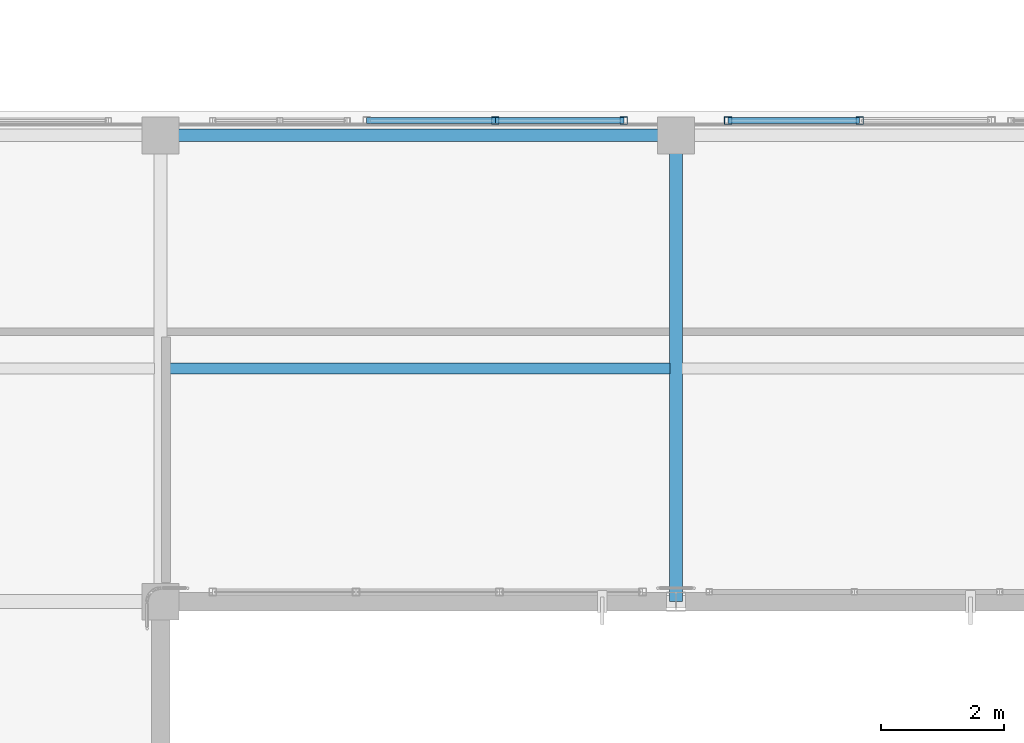
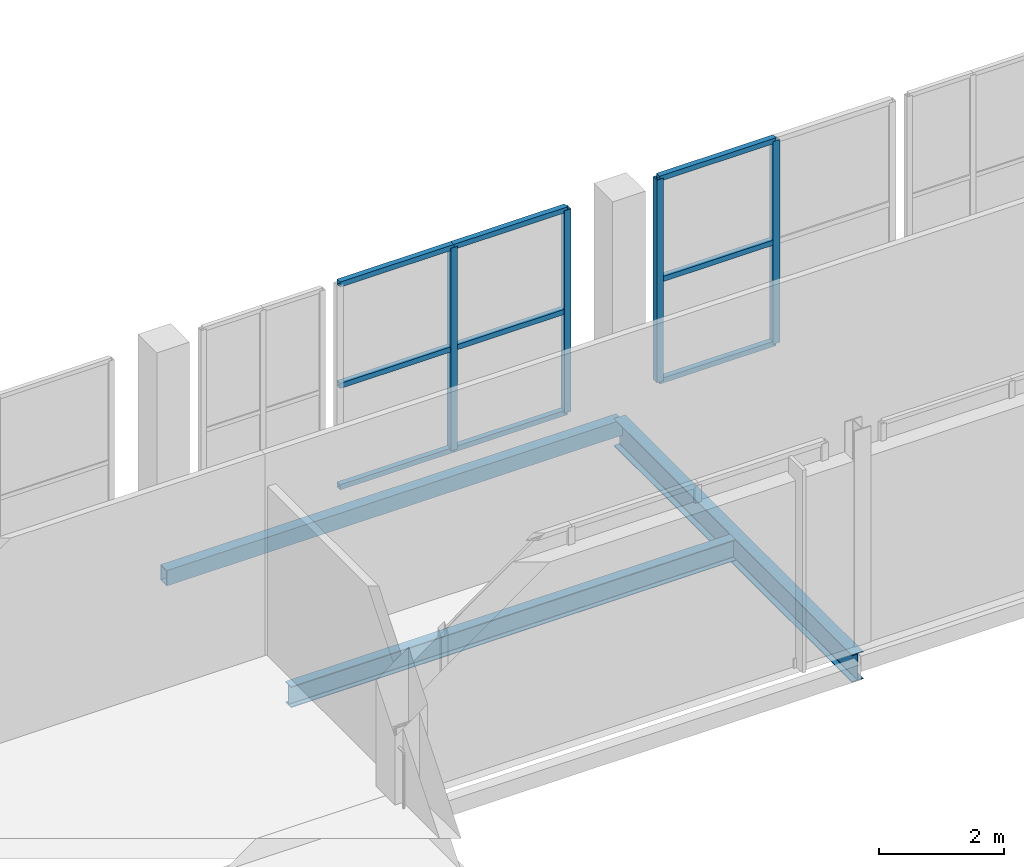
# One storey, part 44 of 217: 13 members, 3 beams, 2 elements without a shape of their own.
"""IFC4 building model written with IfcOpenShell, lengths in metres."""

from ifc_helpers import new_model, si_unit, direction, frame, origin, origin_2d, place, context, subcontext, project, spatial, hollow_rectangle, i_section, extrude, material, material_profile, profile_set, type_object, element, aggregate, save


model = new_model("IFC4")

# Units and contexts
model_context = context("Model", 3, precision=1e-05, world=origin(), true_north=direction((0.0, 1.0)))
body_context = subcontext(model_context, "Body", "Model", "MODEL_VIEW")
ifc_project = project(units=[si_unit("LENGTHUNIT", "METRE"), si_unit("AREAUNIT", "SQUARE_METRE"), si_unit("VOLUMEUNIT", "CUBIC_METRE"), si_unit("PLANEANGLEUNIT", "RADIAN"), si_unit("MASSUNIT", "GRAM", prefix="KILO")], contexts=[model_context])

# Site, building, storey
site_placement = place(None, origin())
site = spatial("IfcSite", under=ifc_project, at=site_placement, CompositionType="ELEMENT")
building_placement = place(site_placement, origin())
building = spatial("IfcBuilding", under=site, at=building_placement, Name="Zuvorla Pavilion Media Centre", CompositionType="ELEMENT")
storey_placement = place(building_placement, frame((0.0, 0.0, 9.60009765625)))
storey = spatial("IfcBuildingStorey", under=building, at=storey_placement, Name="L02", CompositionType="ELEMENT", Elevation=9.60009765625)

# Beams
ifc_material_1 = material(Name="Steel S355", Category="steel")
ifc_material_profile_1 = material_profile(ifc_material_1, hollow_rectangle(XDim=0.199951171875, YDim=0.300048828125, WallThickness=0.012451171875, at=origin_2d()), Name="RHS 300x200x12.5")
ifc_profile_set_1 = profile_set([ifc_material_profile_1], Name="Steel S355")
beam_type_1 = type_object("IfcBeamType", Name="BM-SP-RHS300", PredefinedType="SPANDREL", material=ifc_profile_set_1)
beam_1_placement = place(storey_placement, frame((108.800048828125, 51.60009765625, -0.418212890625), z_axis=(1.0, 0.0, 0.0), x_axis=(0.0, 1.0, 0.0)))
element("IfcBeam", 1, at=beam_1_placement, inside=storey, type_object=beam_type_1, Name="L02 spandrel SP01 846", PredefinedType="SPANDREL", context=body_context, shape_type="SweptSolid", body=[
    extrude(hollow_rectangle(XDim=0.199951171875, YDim=0.300048828125, WallThickness=0.012451171875, at=origin_2d()), origin(), (0.0, 0.0, 1.0), 8.39990234375),
])
ifc_material_profile_2 = material_profile(ifc_material_1, i_section(OverallWidth=0.1787109375, OverallDepth=0.409423828125, WebThickness=0.0087890625, FlangeThickness=0.014404296875, FilletRadius=0.01025390625, at=origin_2d()), Name="UB 406x178x67")
ifc_profile_set_2 = profile_set([ifc_material_profile_2], Name="Steel S355")
beam_type_2 = type_object("IfcBeamType", Name="BM-UB406", PredefinedType="JOIST", material=ifc_profile_set_2)
beam_2_placement = place(storey_placement, frame((108.89990234375, 47.800048828125, -0.472900390625), z_axis=(1.0, 0.0, 0.0), x_axis=(0.0, 1.0, 0.0)))
element("IfcBeam", 2, at=beam_2_placement, inside=storey, type_object=beam_type_2, Name="L02 joist J02 1030", PredefinedType="JOIST", context=body_context, shape_type="SweptSolid", body=[
    extrude(i_section(OverallWidth=0.1787109375, OverallDepth=0.409423828125, WebThickness=0.0087890625, FlangeThickness=0.014404296875, FilletRadius=0.01025390625, at=origin_2d()), origin(), (0.0, 0.0, 1.0), 8.2001953125),
])
ifc_material_profile_3 = material_profile(ifc_material_1, i_section(OverallWidth=0.2099609375, OverallDepth=0.53662109375, WebThickness=0.0107421875, FlangeThickness=0.017333984375, FilletRadius=0.0126953125, at=origin_2d()), Name="UB 533x210x101")
ifc_profile_set_3 = profile_set([ifc_material_profile_3], Name="Steel S355")
beam_type_3 = type_object("IfcBeamType", Name="BM-UB533", PredefinedType="BEAM", material=ifc_profile_set_3)
beam_3_placement = place(storey_placement, frame((117.199951171875, 44.0, -0.536376953125), z_axis=(0.0, 1.0, 0.0), x_axis=(-1.0, 0.0, 0.0)))
element("IfcBeam", 3, at=beam_3_placement, inside=storey, type_object=beam_type_3, Name="L02 beam B08 961", PredefinedType="BEAM", context=body_context, shape_type="SweptSolid", body=[
    extrude(i_section(OverallWidth=0.2099609375, OverallDepth=0.53662109375, WebThickness=0.0107421875, FlangeThickness=0.017333984375, FilletRadius=0.0126953125, at=origin_2d()), origin(), (0.0, 0.0, 1.0), 7.60009765625),
])

# Curtain wall, members
ifc_material_2 = material(Name="Unitised anodised aluminium and solar glass curtain wall", Category="aluminium")
curtain_wall_type_1 = type_object("IfcCurtainWallType", Name="CW-SYS-43", PredefinedType="USERDEFINED", material=ifc_material_2)
curtain_wall_1_placement = place(storey_placement, origin())
curtain_wall_1 = element("IfcCurtainWall", 4, at=curtain_wall_1_placement, inside=storey, type_object=curtain_wall_type_1, Name="L02 curtain wall CW43 75", ObjectType="CURTAIN WALL", PredefinedType="USERDEFINED")
ifc_material_3 = material(Name="Anodised aluminium 6063-T6", Category="aluminium")
ifc_material_profile_4 = material_profile(ifc_material_3, hollow_rectangle(XDim=0.1201171875, YDim=0.1201171875, WallThickness=0.0048828125, at=origin_2d()), Name="ALU MULL 120x120")
ifc_profile_set_4 = profile_set([ifc_material_profile_4], Name="Anodised aluminium 6063-T6")
member_type_1 = type_object("IfcMemberType", Name="CW-MULL-120", PredefinedType="MULLION", material=ifc_profile_set_4)
member_1_placement = place(storey_placement, frame((114.2548828125, 51.840087890625, 0.0), z_axis=(0.0, 0.0, 1.0), x_axis=(1.0, 0.0, 0.0)))
member_1 = element("IfcMember", 5, at=member_1_placement, type_object=member_type_1, Name="CW43 mullion 2", PredefinedType="MULLION", context=body_context, shape_type="SweptSolid", body=[
    extrude(hollow_rectangle(XDim=0.1201171875, YDim=0.1201171875, WallThickness=0.0048828125, at=origin_2d()), origin(), (0.0, 0.0, 1.0), 3.949951171875),
])
member_2_placement = place(storey_placement, frame((116.349609375, 51.840087890625, 0.0), z_axis=(0.0, 0.0, 1.0), x_axis=(1.0, 0.0, 0.0)))
member_2 = element("IfcMember", 6, at=member_2_placement, type_object=member_type_1, Name="CW43 mullion 3", PredefinedType="MULLION", context=body_context, shape_type="SweptSolid", body=[
    extrude(hollow_rectangle(XDim=0.1201171875, YDim=0.1201171875, WallThickness=0.0048828125, at=origin_2d()), origin(), (0.0, 0.0, 1.0), 3.949951171875),
])

curtain_wall_type_2 = type_object("IfcCurtainWallType", Name="CW-SYS-42", PredefinedType="USERDEFINED", material=ifc_material_2)
curtain_wall_2_placement = place(storey_placement, origin())
curtain_wall_2 = element("IfcCurtainWall", 7, at=curtain_wall_2_placement, inside=storey, type_object=curtain_wall_type_2, Name="L02 curtain wall CW42 76", ObjectType="CURTAIN WALL", PredefinedType="USERDEFINED")
member_3_placement = place(storey_placement, frame((118.05029296875, 51.840087890625, 0.0), z_axis=(0.0, 0.0, 1.0), x_axis=(1.0, 0.0, 0.0)))
member_3 = element("IfcMember", 8, at=member_3_placement, type_object=member_type_1, Name="CW42 mullion 1", PredefinedType="MULLION", context=body_context, shape_type="SweptSolid", body=[
    extrude(hollow_rectangle(XDim=0.1201171875, YDim=0.1201171875, WallThickness=0.0048828125, at=origin_2d()), origin(), (0.0, 0.0, 1.0), 3.949951171875),
])
member_4_placement = place(storey_placement, frame((120.195068359375, 51.840087890625, 0.0), z_axis=(0.0, 0.0, 1.0), x_axis=(1.0, 0.0, 0.0)))
member_4 = element("IfcMember", 9, at=member_4_placement, type_object=member_type_1, Name="CW42 mullion 2", PredefinedType="MULLION", context=body_context, shape_type="SweptSolid", body=[
    extrude(hollow_rectangle(XDim=0.1201171875, YDim=0.1201171875, WallThickness=0.0048828125, at=origin_2d()), origin(), (0.0, 0.0, 1.0), 3.949951171875),
])

# Member
ifc_material_profile_5 = material_profile(ifc_material_3, hollow_rectangle(XDim=0.10009765625, YDim=0.10009765625, WallThickness=0.00439453125, at=origin_2d()), Name="ALU TRAN 100x100")
ifc_profile_set_5 = profile_set([ifc_material_profile_5], Name="Anodised aluminium 6063-T6")
member_type_2 = type_object("IfcMemberType", Name="CW-TRAN-100", PredefinedType="USERDEFINED", material=ifc_profile_set_5)
member_5_placement = place(storey_placement, frame((112.159912109375, 51.840087890625, 0.0), z_axis=(1.0, 0.0, 0.0), x_axis=(0.0, 1.0, 0.0)))
member_5 = element("IfcMember", 10, at=member_5_placement, type_object=member_type_2, Name="CW43 transom 1.1", ObjectType="TRANSOM", PredefinedType="USERDEFINED", context=body_context, shape_type="SweptSolid", body=[
    extrude(hollow_rectangle(XDim=0.10009765625, YDim=0.10009765625, WallThickness=0.00439453125, at=origin_2d()), origin(), (0.0, 0.0, 1.0), 2.094970703125),
])

member_6_placement = place(storey_placement, frame((112.159912109375, 51.840087890625, 1.974853515625), z_axis=(1.0, 0.0, 0.0), x_axis=(0.0, 1.0, 0.0)))
member_6 = element("IfcMember", 11, at=member_6_placement, type_object=member_type_2, Name="CW43 transom 1.2", ObjectType="TRANSOM", PredefinedType="USERDEFINED", context=body_context, shape_type="SweptSolid", body=[
    extrude(hollow_rectangle(XDim=0.10009765625, YDim=0.10009765625, WallThickness=0.00439453125, at=origin_2d()), origin(), (0.0, 0.0, 1.0), 2.094970703125),
])

member_7_placement = place(storey_placement, frame((112.159912109375, 51.840087890625, 3.949951171875), z_axis=(1.0, 0.0, 0.0), x_axis=(0.0, 1.0, 0.0)))
member_7 = element("IfcMember", 12, at=member_7_placement, type_object=member_type_2, Name="CW43 transom 1.3", ObjectType="TRANSOM", PredefinedType="USERDEFINED", context=body_context, shape_type="SweptSolid", body=[
    extrude(hollow_rectangle(XDim=0.10009765625, YDim=0.10009765625, WallThickness=0.00439453125, at=origin_2d()), origin(), (0.0, 0.0, 1.0), 2.094970703125),
])

member_8_placement = place(storey_placement, frame((114.2548828125, 51.840087890625, 0.0), z_axis=(1.0, 0.0, 0.0), x_axis=(0.0, 1.0, 0.0)))
member_8 = element("IfcMember", 13, at=member_8_placement, type_object=member_type_2, Name="CW43 transom 2.1", ObjectType="TRANSOM", PredefinedType="USERDEFINED", context=body_context, shape_type="SweptSolid", body=[
    extrude(hollow_rectangle(XDim=0.10009765625, YDim=0.10009765625, WallThickness=0.00439453125, at=origin_2d()), origin(), (0.0, 0.0, 1.0), 2.0947265625),
])

member_9_placement = place(storey_placement, frame((114.2548828125, 51.840087890625, 1.974853515625), z_axis=(1.0, 0.0, 0.0), x_axis=(0.0, 1.0, 0.0)))
member_9 = element("IfcMember", 14, at=member_9_placement, type_object=member_type_2, Name="CW43 transom 2.2", ObjectType="TRANSOM", PredefinedType="USERDEFINED", context=body_context, shape_type="SweptSolid", body=[
    extrude(hollow_rectangle(XDim=0.10009765625, YDim=0.10009765625, WallThickness=0.00439453125, at=origin_2d()), origin(), (0.0, 0.0, 1.0), 2.0947265625),
])

member_10_placement = place(storey_placement, frame((114.2548828125, 51.840087890625, 3.949951171875), z_axis=(1.0, 0.0, 0.0), x_axis=(0.0, 1.0, 0.0)))
member_10 = element("IfcMember", 15, at=member_10_placement, type_object=member_type_2, Name="CW43 transom 2.3", ObjectType="TRANSOM", PredefinedType="USERDEFINED", context=body_context, shape_type="SweptSolid", body=[
    extrude(hollow_rectangle(XDim=0.10009765625, YDim=0.10009765625, WallThickness=0.00439453125, at=origin_2d()), origin(), (0.0, 0.0, 1.0), 2.0947265625),
])

aggregate(curtain_wall_1, [member_1, member_2, member_5, member_6, member_7, member_8, member_9, member_10])

member_11_placement = place(storey_placement, frame((118.05029296875, 51.840087890625, 0.0), z_axis=(1.0, 0.0, 0.0), x_axis=(0.0, 1.0, 0.0)))
member_11 = element("IfcMember", 16, at=member_11_placement, type_object=member_type_2, Name="CW42 transom 1.1", ObjectType="TRANSOM", PredefinedType="USERDEFINED", context=body_context, shape_type="SweptSolid", body=[
    extrude(hollow_rectangle(XDim=0.10009765625, YDim=0.10009765625, WallThickness=0.00439453125, at=origin_2d()), origin(), (0.0, 0.0, 1.0), 2.144775390625),
])

member_12_placement = place(storey_placement, frame((118.05029296875, 51.840087890625, 1.974853515625), z_axis=(1.0, 0.0, 0.0), x_axis=(0.0, 1.0, 0.0)))
member_12 = element("IfcMember", 17, at=member_12_placement, type_object=member_type_2, Name="CW42 transom 1.2", ObjectType="TRANSOM", PredefinedType="USERDEFINED", context=body_context, shape_type="SweptSolid", body=[
    extrude(hollow_rectangle(XDim=0.10009765625, YDim=0.10009765625, WallThickness=0.00439453125, at=origin_2d()), origin(), (0.0, 0.0, 1.0), 2.144775390625),
])

member_13_placement = place(storey_placement, frame((118.05029296875, 51.840087890625, 3.949951171875), z_axis=(1.0, 0.0, 0.0), x_axis=(0.0, 1.0, 0.0)))
member_13 = element("IfcMember", 18, at=member_13_placement, type_object=member_type_2, Name="CW42 transom 1.3", ObjectType="TRANSOM", PredefinedType="USERDEFINED", context=body_context, shape_type="SweptSolid", body=[
    extrude(hollow_rectangle(XDim=0.10009765625, YDim=0.10009765625, WallThickness=0.00439453125, at=origin_2d()), origin(), (0.0, 0.0, 1.0), 2.144775390625),
])

aggregate(curtain_wall_2, [member_3, member_4, member_11, member_12, member_13])

save(model, "model.ifc")
